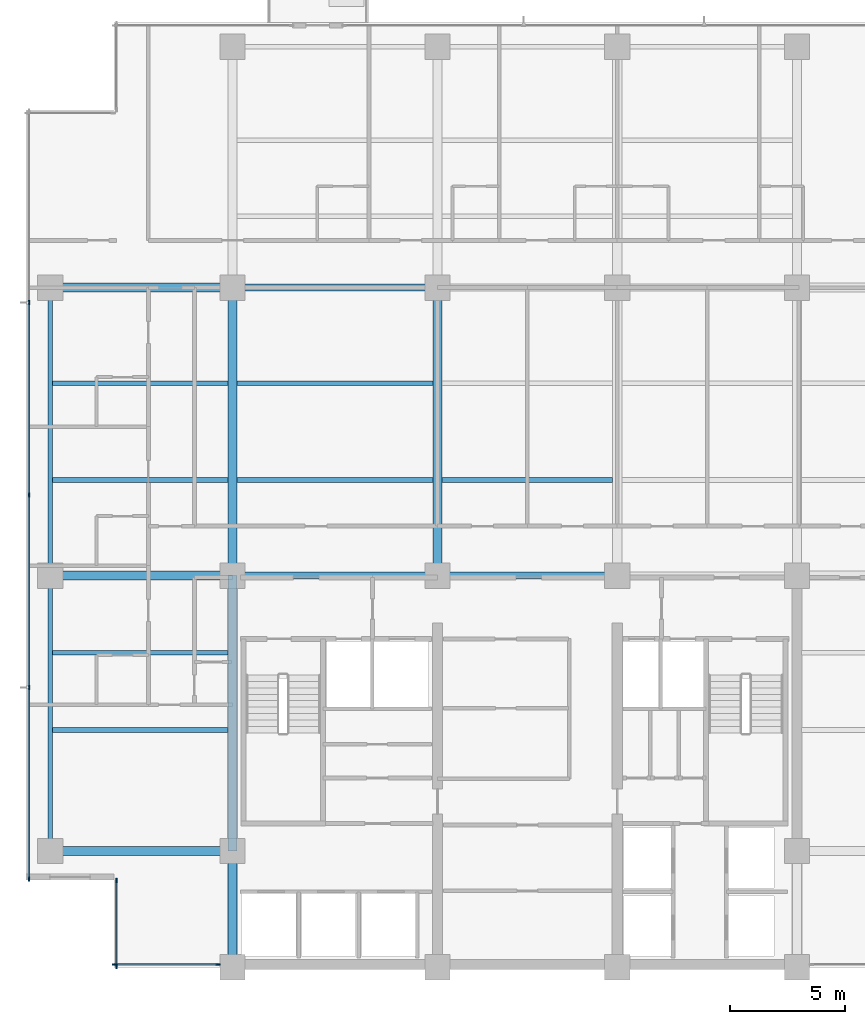
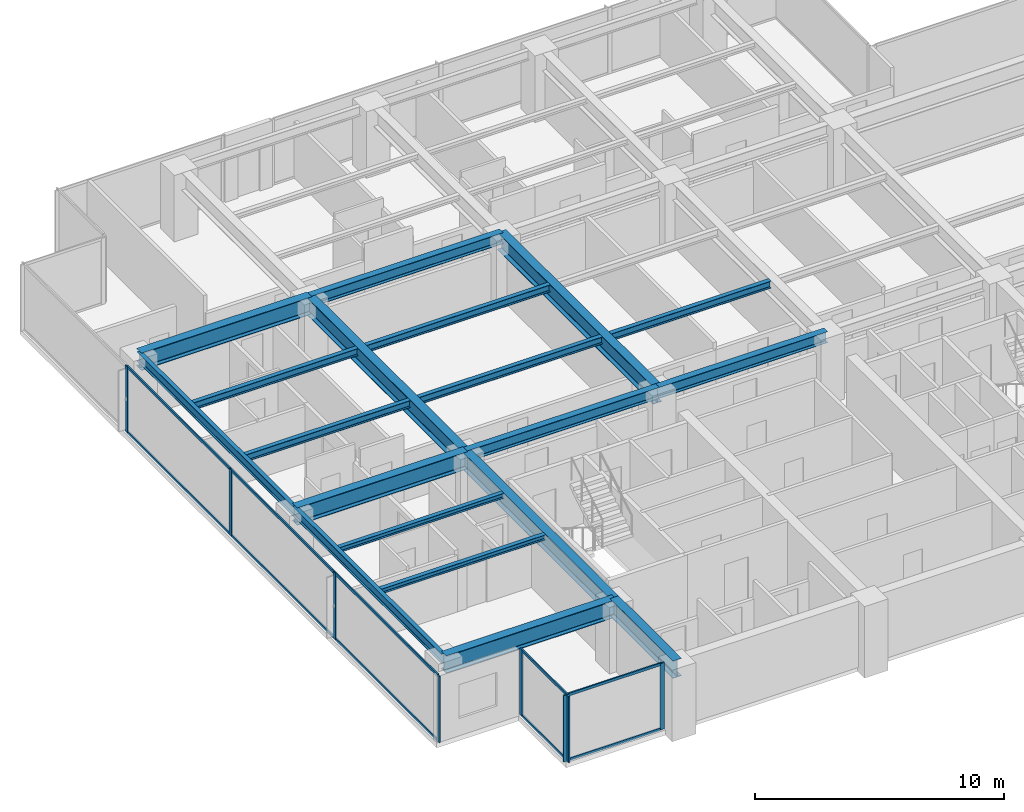
# One storey, part 2 of 14: 19 beams, 18 members, 3 elements without a shape of their own.
"""IFC4 building model written with IfcOpenShell, lengths in metres."""

from ifc_helpers import new_model, si_unit, direction, frame, origin, origin_2d, place, context, subcontext, project, spatial, rectangle, i_section, extrude, material, layer, layer_set, material_profile, profile_set, type_object, element, aggregate, save


model = new_model("IFC4")

# Units and contexts
model_context = context("Model", 3, precision=1e-05, world=origin(), true_north=direction((0.0, 1.0)))
body_context = subcontext(model_context, "Body", "Model", "MODEL_VIEW")
ifc_project = project(units=[si_unit("LENGTHUNIT", "METRE"), si_unit("AREAUNIT", "SQUARE_METRE"), si_unit("VOLUMEUNIT", "CUBIC_METRE"), si_unit("PLANEANGLEUNIT", "RADIAN"), si_unit("MASSUNIT", "GRAM", prefix="KILO")], contexts=[model_context])

# Site, building, storey
site_placement = place(None, origin())
site = spatial("IfcSite", under=ifc_project, at=site_placement, CompositionType="ELEMENT")
building_placement = place(site_placement, origin())
building = spatial("IfcBuilding", under=site, at=building_placement, Name="Qalmaran Belvedere Hotel", CompositionType="ELEMENT")
storey_placement = place(building_placement, frame((0.0, 0.0, 156.10009765625)))
storey = spatial("IfcBuildingStorey", under=building, at=storey_placement, Name="L39", CompositionType="ELEMENT", Elevation=156.10009765625)

# Beams
ifc_material_1 = material(Name="Steel S355JR", Category="steel")
ifc_material_profile_1 = material_profile(ifc_material_1, i_section(OverallWidth=0.201904296875, OverallDepth=0.2470703125, WebThickness=0.00732421875, FlangeThickness=0.010986328125, FilletRadius=0.011962890625, at=origin_2d()), Name="W250X49")
ifc_profile_set_1 = profile_set([ifc_material_profile_1], Name="Steel S355JR")
beam_type_1 = type_object("IfcBeamType", Name="BM-JST-W250X49", PredefinedType="JOIST", material=ifc_profile_set_1)
for number, where, z_axis, x_axis, name in (
    (1, (12.493896484375, 13.800048828125, 3.12646484375), (1.0, 0.0, 0.0), (0.0, 1.0, 0.0), "L39 West Wing Joist 038"),
    (2, (12.493896484375, 17.14990234375, 3.12646484375), (1.0, 0.0, 0.0), (0.0, 1.0, 0.0), "L39 West Wing Joist 040"),
):
    element("IfcBeam", number, at=place(storey_placement, frame(where, z_axis=z_axis, x_axis=x_axis)), inside=storey, type_object=beam_type_1, Name=name, PredefinedType="JOIST", context=body_context, shape_type="SweptSolid", body=[
        extrude(i_section(OverallWidth=0.201904296875, OverallDepth=0.2470703125, WebThickness=0.00732421875, FlangeThickness=0.010986328125, FilletRadius=0.011962890625, at=origin_2d()), origin(), (0.0, 0.0, 1.0), 7.608154296875),
    ])
ifc_material_profile_2 = material_profile(ifc_material_1, i_section(OverallWidth=0.39990234375, OverallDepth=0.85498046875, WebThickness=0.018310546875, FlangeThickness=0.029296875, FilletRadius=0.02392578125, at=origin_2d()), Name="W840X299")
ifc_profile_set_2 = profile_set([ifc_material_profile_2], Name="Steel S355JR")
beam_type_2 = type_object("IfcBeamType", Name="BM-PG3-W840X299", PredefinedType="USERDEFINED", material=ifc_profile_set_2)
for number, where, z_axis, x_axis, name in (
    (3, (20.300048828125, 20.5, 2.822509765625), (0.0, 1.0, 0.0), (-1.0, 0.0, 0.0), "L39 Mid-Plate N-S Girder 14"),
    (4, (29.199951171875, 20.5, 2.822509765625), (0.0, 1.0, 0.0), (-1.0, 0.0, 0.0), "L39 Mid-Plate N-S Girder 16"),
):
    element("IfcBeam", number, at=place(storey_placement, frame(where, z_axis=z_axis, x_axis=x_axis)), inside=storey, type_object=beam_type_2, Name=name, ObjectType="GIRDER", PredefinedType="USERDEFINED", context=body_context, shape_type="SweptSolid", body=[
        extrude(i_section(OverallWidth=0.39990234375, OverallDepth=0.85498046875, WebThickness=0.018310546875, FlangeThickness=0.029296875, FilletRadius=0.02392578125, at=origin_2d()), origin(), (0.0, 0.0, 1.0), 12.5),
    ])
for number, where, z_axis, x_axis, name in (
    (5, (12.39990234375, 8.550048828125, 2.822509765625), (1.0, 0.0, 0.0), (0.0, 1.0, 0.0), "L39 West Wing Girder 22"),
    (6, (12.39990234375, 20.5, 2.822509765625), (1.0, 0.0, 0.0), (0.0, 1.0, 0.0), "L39 West Wing Girder 23"),
    (7, (12.39990234375, 33.0, 2.822509765625), (1.0, 0.0, 0.0), (0.0, 1.0, 0.0), "L39 West Wing Girder 24"),
):
    element("IfcBeam", number, at=place(storey_placement, frame(where, z_axis=z_axis, x_axis=x_axis)), inside=storey, type_object=beam_type_2, Name=name, ObjectType="GIRDER", PredefinedType="USERDEFINED", context=body_context, shape_type="SweptSolid", body=[
        extrude(i_section(OverallWidth=0.39990234375, OverallDepth=0.85498046875, WebThickness=0.018310546875, FlangeThickness=0.029296875, FilletRadius=0.02392578125, at=origin_2d()), origin(), (0.0, 0.0, 1.0), 7.900146484375),
    ])
beam_1_placement = place(storey_placement, frame((20.300048828125, 3.5, 2.822509765625), z_axis=(0.0, 1.0, 0.0), x_axis=(-1.0, 0.0, 0.0)))
element("IfcBeam", 8, at=beam_1_placement, inside=storey, type_object=beam_type_2, Name="L39 West Core Edge Girder A", ObjectType="GIRDER", PredefinedType="USERDEFINED", context=body_context, shape_type="SweptSolid", body=[
    extrude(i_section(OverallWidth=0.39990234375, OverallDepth=0.85498046875, WebThickness=0.018310546875, FlangeThickness=0.029296875, FilletRadius=0.02392578125, at=origin_2d()), origin(), (0.0, 0.0, 1.0), 5.050048828125),
])
beam_2_placement = place(storey_placement, frame((20.300048828125, 8.550048828125, 2.822509765625), z_axis=(0.0, 1.0, 0.0), x_axis=(-1.0, 0.0, 0.0)))
element("IfcBeam", 9, at=beam_2_placement, inside=storey, type_object=beam_type_2, Name="L39 West Core Edge Girder B", ObjectType="GIRDER", PredefinedType="USERDEFINED", context=body_context, shape_type="SweptSolid", body=[
    extrude(i_section(OverallWidth=0.39990234375, OverallDepth=0.85498046875, WebThickness=0.018310546875, FlangeThickness=0.029296875, FilletRadius=0.02392578125, at=origin_2d()), origin(), (0.0, 0.0, 1.0), 11.949951171875),
])
ifc_material_profile_3 = material_profile(ifc_material_1, i_section(OverallWidth=0.205078125, OverallDepth=0.35400390625, WebThickness=0.009521484375, FlangeThickness=0.016845703125, FilletRadius=0.014892578125, at=origin_2d()), Name="W360X79")
ifc_profile_set_3 = profile_set([ifc_material_profile_3], Name="Steel S355JR")
beam_type_3 = type_object("IfcBeamType", Name="BM-SB3-W360X79", PredefinedType="BEAM", material=ifc_profile_set_3)
beam_3_placement = place(storey_placement, frame((12.493896484375, 24.64990234375, 3.072998046875), z_axis=(1.0, 0.0, 0.0), x_axis=(0.0, 1.0, 0.0)))
element("IfcBeam", 10, at=beam_3_placement, inside=storey, type_object=beam_type_3, Name="L39 West Secondary Beam 028", PredefinedType="BEAM", context=body_context, shape_type="SweptSolid", body=[
    extrude(i_section(OverallWidth=0.205078125, OverallDepth=0.35400390625, WebThickness=0.009521484375, FlangeThickness=0.016845703125, FilletRadius=0.014892578125, at=origin_2d()), origin(), (0.0, 0.0, 1.0), 7.608154296875),
])
beam_4_placement = place(storey_placement, frame((20.498046875, 24.64990234375, 3.072998046875), z_axis=(1.0, 0.0, 0.0), x_axis=(0.0, 1.0, 0.0)))
element("IfcBeam", 11, at=beam_4_placement, inside=storey, type_object=beam_type_3, Name="L39 Secondary Floor Beam 029", PredefinedType="BEAM", context=body_context, shape_type="SweptSolid", body=[
    extrude(i_section(OverallWidth=0.205078125, OverallDepth=0.35400390625, WebThickness=0.009521484375, FlangeThickness=0.016845703125, FilletRadius=0.014892578125, at=origin_2d()), origin(), (0.0, 0.0, 1.0), 8.50390625),
])
beam_5_placement = place(storey_placement, frame((29.39794921875, 24.64990234375, 3.072998046875), z_axis=(1.0, 0.0, 0.0), x_axis=(0.0, 1.0, 0.0)))
element("IfcBeam", 12, at=beam_5_placement, inside=storey, type_object=beam_type_3, Name="L39 Secondary Floor Beam 030", PredefinedType="BEAM", context=body_context, shape_type="SweptSolid", body=[
    extrude(i_section(OverallWidth=0.205078125, OverallDepth=0.35400390625, WebThickness=0.009521484375, FlangeThickness=0.016845703125, FilletRadius=0.014892578125, at=origin_2d()), origin(), (0.0, 0.0, 1.0), 7.404052734375),
])
beam_6_placement = place(storey_placement, frame((12.493896484375, 28.85009765625, 3.072998046875), z_axis=(1.0, 0.0, 0.0), x_axis=(0.0, 1.0, 0.0)))
element("IfcBeam", 13, at=beam_6_placement, inside=storey, type_object=beam_type_3, Name="L39 West Secondary Beam 033", PredefinedType="BEAM", context=body_context, shape_type="SweptSolid", body=[
    extrude(i_section(OverallWidth=0.205078125, OverallDepth=0.35400390625, WebThickness=0.009521484375, FlangeThickness=0.016845703125, FilletRadius=0.014892578125, at=origin_2d()), origin(), (0.0, 0.0, 1.0), 7.608154296875),
])
beam_7_placement = place(storey_placement, frame((20.498046875, 28.85009765625, 3.072998046875), z_axis=(1.0, 0.0, 0.0), x_axis=(0.0, 1.0, 0.0)))
element("IfcBeam", 14, at=beam_7_placement, inside=storey, type_object=beam_type_3, Name="L39 Secondary Floor Beam 034", PredefinedType="BEAM", context=body_context, shape_type="SweptSolid", body=[
    extrude(i_section(OverallWidth=0.205078125, OverallDepth=0.35400390625, WebThickness=0.009521484375, FlangeThickness=0.016845703125, FilletRadius=0.014892578125, at=origin_2d()), origin(), (0.0, 0.0, 1.0), 8.50390625),
])
ifc_material_profile_4 = material_profile(ifc_material_1, i_section(OverallWidth=0.19189453125, OverallDepth=0.462890625, WebThickness=0.010498046875, FlangeThickness=0.017578125, FilletRadius=0.01611328125, at=origin_2d()), Name="W460X89")
ifc_profile_set_4 = profile_set([ifc_material_profile_4], Name="Steel S355JR")
beam_type_4 = type_object("IfcBeamType", Name="BM-SP2-W460X89", PredefinedType="SPANDREL", material=ifc_profile_set_4)
beam_8_placement = place(storey_placement, frame((12.39990234375, 8.550048828125, 3.018310546875), z_axis=(0.0, 1.0, 0.0), x_axis=(-1.0, 0.0, 0.0)))
element("IfcBeam", 15, at=beam_8_placement, inside=storey, type_object=beam_type_4, Name="L39 Perimeter Spandrel 01", PredefinedType="SPANDREL", context=body_context, shape_type="SweptSolid", body=[
    extrude(i_section(OverallWidth=0.19189453125, OverallDepth=0.462890625, WebThickness=0.010498046875, FlangeThickness=0.017578125, FilletRadius=0.01611328125, at=origin_2d()), origin(), (0.0, 0.0, 1.0), 11.949951171875),
])
beam_9_placement = place(storey_placement, frame((12.39990234375, 20.5, 3.018310546875), z_axis=(0.0, 1.0, 0.0), x_axis=(-1.0, 0.0, 0.0)))
element("IfcBeam", 16, at=beam_9_placement, inside=storey, type_object=beam_type_4, Name="L39 Perimeter Spandrel 02", PredefinedType="SPANDREL", context=body_context, shape_type="SweptSolid", body=[
    extrude(i_section(OverallWidth=0.19189453125, OverallDepth=0.462890625, WebThickness=0.010498046875, FlangeThickness=0.017578125, FilletRadius=0.01611328125, at=origin_2d()), origin(), (0.0, 0.0, 1.0), 12.5),
])
ifc_material_profile_5 = material_profile(ifc_material_1, i_section(OverallWidth=0.31201171875, OverallDepth=0.54296875, WebThickness=0.0126953125, FlangeThickness=0.020263671875, FilletRadius=0.01806640625, at=origin_2d()), Name="W530X150")
ifc_profile_set_5 = profile_set([ifc_material_profile_5], Name="Steel S355JR")
beam_type_5 = type_object("IfcBeamType", Name="BM-Z3-W530X150", PredefinedType="USERDEFINED", material=ifc_profile_set_5)
beam_10_placement = place(storey_placement, frame((20.300048828125, 20.5, 2.978515625), z_axis=(1.0, 0.0, 0.0), x_axis=(0.0, 1.0, 0.0)))
element("IfcBeam", 17, at=beam_10_placement, inside=storey, type_object=beam_type_5, Name="L39 Interior E-W Girder 08", ObjectType="GIRDER", PredefinedType="USERDEFINED", context=body_context, shape_type="SweptSolid", body=[
    extrude(i_section(OverallWidth=0.31201171875, OverallDepth=0.54296875, WebThickness=0.0126953125, FlangeThickness=0.020263671875, FilletRadius=0.01806640625, at=origin_2d()), origin(), (0.0, 0.0, 1.0), 8.89990234375),
])
beam_11_placement = place(storey_placement, frame((29.199951171875, 20.5, 2.978515625), z_axis=(1.0, 0.0, 0.0), x_axis=(0.0, 1.0, 0.0)))
element("IfcBeam", 18, at=beam_11_placement, inside=storey, type_object=beam_type_5, Name="L39 Interior E-W Girder 09", ObjectType="GIRDER", PredefinedType="USERDEFINED", context=body_context, shape_type="SweptSolid", body=[
    extrude(i_section(OverallWidth=0.31201171875, OverallDepth=0.54296875, WebThickness=0.0126953125, FlangeThickness=0.020263671875, FilletRadius=0.01806640625, at=origin_2d()), origin(), (0.0, 0.0, 1.0), 7.800048828125),
])
beam_12_placement = place(storey_placement, frame((20.300048828125, 33.0, 2.978515625), z_axis=(1.0, 0.0, 0.0), x_axis=(0.0, 1.0, 0.0)))
element("IfcBeam", 19, at=beam_12_placement, inside=storey, type_object=beam_type_5, Name="L39 Interior E-W Girder 11", ObjectType="GIRDER", PredefinedType="USERDEFINED", context=body_context, shape_type="SweptSolid", body=[
    extrude(i_section(OverallWidth=0.31201171875, OverallDepth=0.54296875, WebThickness=0.0126953125, FlangeThickness=0.020263671875, FilletRadius=0.01806640625, at=origin_2d()), origin(), (0.0, 0.0, 1.0), 8.89990234375),
])

# Curtain wall, members
ifc_material_2 = material(Name="Anodised Bronze Aluminium", Category="aluminium")
ifc_layer = layer(ifc_material_2, 0.195068359375, Name="Anodised Bronze Aluminium")
ifc_layer_set = layer_set([ifc_layer], Name="Anodised Bronze Aluminium")
curtain_wall_type = type_object("IfcCurtainWallType", Name="CW4-TOWER-HIGHMID", PredefinedType="NOTDEFINED", material=ifc_layer_set)
curtain_wall_1_placement = place(storey_placement, origin())
curtain_wall_1 = element("IfcCurtainWall", 20, at=curtain_wall_1_placement, inside=storey, type_object=curtain_wall_type, Name="L39 Curtain Wall CW4", PredefinedType="NOTDEFINED")
ifc_material_profile_6 = material_profile(ifc_material_2, rectangle(XDim=0.070068359375, YDim=0.18994140625, at=origin_2d()), Name="CWM70X190")
ifc_profile_set_6 = profile_set([ifc_material_profile_6], Name="Anodised Bronze Aluminium")
member_type_1 = type_object("IfcMemberType", Name="CWM-70X190", PredefinedType="MULLION", material=ifc_profile_set_6)
member_1_placement = place(storey_placement, frame((15.18505859375, 3.6201171875, 0.0), z_axis=(0.0, 0.0, 1.0), x_axis=(0.0, 1.0, 0.0)))
member_1 = element("IfcMember", 21, at=member_1_placement, type_object=member_type_1, Name="CW4 mullion 1", PredefinedType="MULLION", context=body_context, shape_type="SweptSolid", body=[
    extrude(rectangle(XDim=0.070068359375, YDim=0.18994140625, at=origin_2d()), origin(), (0.0, 0.0, 1.0), 3.25),
])
member_2_placement = place(storey_placement, frame((19.675048828125, 3.6201171875, 0.0), z_axis=(0.0, 0.0, 1.0), x_axis=(0.0, 1.0, 0.0)))
member_2 = element("IfcMember", 22, at=member_2_placement, type_object=member_type_1, Name="CW4 mullion 2", PredefinedType="MULLION", context=body_context, shape_type="SweptSolid", body=[
    extrude(rectangle(XDim=0.070068359375, YDim=0.18994140625, at=origin_2d()), origin(), (0.0, 0.0, 1.0), 3.25),
])

curtain_wall_2_placement = place(storey_placement, origin())
curtain_wall_2 = element("IfcCurtainWall", 23, at=curtain_wall_2_placement, inside=storey, type_object=curtain_wall_type, Name="L39 Curtain Wall CW4", PredefinedType="NOTDEFINED")
member_3_placement = place(storey_placement, frame((11.469970703125, 32.35009765625, 0.0), z_axis=(0.0, 0.0, 1.0), x_axis=(1.0, 0.0, 0.0)))
member_3 = element("IfcMember", 24, at=member_3_placement, type_object=member_type_1, Name="CW4 mullion 2", PredefinedType="MULLION", context=body_context, shape_type="SweptSolid", body=[
    extrude(rectangle(XDim=0.070068359375, YDim=0.18994140625, at=origin_2d()), origin(), (0.0, 0.0, 1.0), 3.25),
])
member_4_placement = place(storey_placement, frame((11.469970703125, 24.0, 0.0), z_axis=(0.0, 0.0, 1.0), x_axis=(1.0, 0.0, 0.0)))
member_4 = element("IfcMember", 25, at=member_4_placement, type_object=member_type_1, Name="CW4 mullion 3", PredefinedType="MULLION", context=body_context, shape_type="SweptSolid", body=[
    extrude(rectangle(XDim=0.070068359375, YDim=0.18994140625, at=origin_2d()), origin(), (0.0, 0.0, 1.0), 3.25),
])
member_5_placement = place(storey_placement, frame((11.469970703125, 15.64990234375, 0.0), z_axis=(0.0, 0.0, 1.0), x_axis=(1.0, 0.0, 0.0)))
member_5 = element("IfcMember", 26, at=member_5_placement, type_object=member_type_1, Name="CW4 mullion 4", PredefinedType="MULLION", context=body_context, shape_type="SweptSolid", body=[
    extrude(rectangle(XDim=0.070068359375, YDim=0.18994140625, at=origin_2d()), origin(), (0.0, 0.0, 1.0), 3.25),
])
member_6_placement = place(storey_placement, frame((11.469970703125, 7.3349609375, 0.0), z_axis=(0.0, 0.0, 1.0), x_axis=(1.0, 0.0, 0.0)))
member_6 = element("IfcMember", 27, at=member_6_placement, type_object=member_type_1, Name="CW4 mullion 5", PredefinedType="MULLION", context=body_context, shape_type="SweptSolid", body=[
    extrude(rectangle(XDim=0.070068359375, YDim=0.18994140625, at=origin_2d()), origin(), (0.0, 0.0, 1.0), 3.25),
])

curtain_wall_3_placement = place(storey_placement, origin())
curtain_wall_3 = element("IfcCurtainWall", 28, at=curtain_wall_3_placement, inside=storey, type_object=curtain_wall_type, Name="L39 Curtain Wall CW4", PredefinedType="NOTDEFINED")
member_7_placement = place(storey_placement, frame((15.27001953125, 7.264892578125, 0.0), z_axis=(0.0, 0.0, 1.0), x_axis=(1.0, 0.0, 0.0)))
member_7 = element("IfcMember", 29, at=member_7_placement, type_object=member_type_1, Name="CW4 mullion 1", PredefinedType="MULLION", context=body_context, shape_type="SweptSolid", body=[
    extrude(rectangle(XDim=0.070068359375, YDim=0.18994140625, at=origin_2d()), origin(), (0.0, 0.0, 1.0), 3.25),
])
member_8_placement = place(storey_placement, frame((15.27001953125, 3.534912109375, 0.0), z_axis=(0.0, 0.0, 1.0), x_axis=(1.0, 0.0, 0.0)))
member_8 = element("IfcMember", 30, at=member_8_placement, type_object=member_type_1, Name="CW4 mullion 2", PredefinedType="MULLION", context=body_context, shape_type="SweptSolid", body=[
    extrude(rectangle(XDim=0.070068359375, YDim=0.18994140625, at=origin_2d()), origin(), (0.0, 0.0, 1.0), 3.25),
])

# Member
ifc_material_profile_7 = material_profile(ifc_material_2, rectangle(XDim=0.06494140625, YDim=0.1298828125, at=origin_2d()), Name="CWT65X130")
ifc_profile_set_7 = profile_set([ifc_material_profile_7], Name="Anodised Bronze Aluminium")
member_type_2 = type_object("IfcMemberType", Name="CWT-65X130", PredefinedType="USERDEFINED", material=ifc_profile_set_7)
member_9_placement = place(storey_placement, frame((15.219970703125, 3.6201171875, 0.032470703125), z_axis=(1.0, 0.0, 0.0), x_axis=(0.0, 1.0, 0.0)))
member_9 = element("IfcMember", 31, at=member_9_placement, type_object=member_type_2, Name="CW4 transom 1.1", ObjectType="TRANSOM", PredefinedType="USERDEFINED", context=body_context, shape_type="SweptSolid", body=[
    extrude(rectangle(XDim=0.06494140625, YDim=0.1298828125, at=origin_2d()), origin(), (0.0, 0.0, 1.0), 4.419921875),
])

member_10_placement = place(storey_placement, frame((15.219970703125, 3.6201171875, 3.21728515625), z_axis=(1.0, 0.0, 0.0), x_axis=(0.0, 1.0, 0.0)))
member_10 = element("IfcMember", 32, at=member_10_placement, type_object=member_type_2, Name="CW4 transom 1.2", ObjectType="TRANSOM", PredefinedType="USERDEFINED", context=body_context, shape_type="SweptSolid", body=[
    extrude(rectangle(XDim=0.06494140625, YDim=0.1298828125, at=origin_2d()), origin(), (0.0, 0.0, 1.0), 4.419921875),
])

aggregate(curtain_wall_1, [member_1, member_2, member_9, member_10])

member_11_placement = place(storey_placement, frame((11.469970703125, 32.31494140625, 0.032470703125), z_axis=(0.0, -1.0, 0.0), x_axis=(1.0, 0.0, 0.0)))
member_11 = element("IfcMember", 33, at=member_11_placement, type_object=member_type_2, Name="CW4 transom 2.1", ObjectType="TRANSOM", PredefinedType="USERDEFINED", context=body_context, shape_type="SweptSolid", body=[
    extrude(rectangle(XDim=0.06494140625, YDim=0.1298828125, at=origin_2d()), origin(), (0.0, 0.0, 1.0), 8.280029296875),
])

member_12_placement = place(storey_placement, frame((11.469970703125, 32.31494140625, 3.21728515625), z_axis=(0.0, -1.0, 0.0), x_axis=(1.0, 0.0, 0.0)))
member_12 = element("IfcMember", 34, at=member_12_placement, type_object=member_type_2, Name="CW4 transom 2.2", ObjectType="TRANSOM", PredefinedType="USERDEFINED", context=body_context, shape_type="SweptSolid", body=[
    extrude(rectangle(XDim=0.06494140625, YDim=0.1298828125, at=origin_2d()), origin(), (0.0, 0.0, 1.0), 8.280029296875),
])

member_13_placement = place(storey_placement, frame((11.469970703125, 23.965087890625, 0.032470703125), z_axis=(0.0, -1.0, 0.0), x_axis=(1.0, 0.0, 0.0)))
member_13 = element("IfcMember", 35, at=member_13_placement, type_object=member_type_2, Name="CW4 transom 3.1", ObjectType="TRANSOM", PredefinedType="USERDEFINED", context=body_context, shape_type="SweptSolid", body=[
    extrude(rectangle(XDim=0.06494140625, YDim=0.1298828125, at=origin_2d()), origin(), (0.0, 0.0, 1.0), 8.280029296875),
])

member_14_placement = place(storey_placement, frame((11.469970703125, 23.965087890625, 3.21728515625), z_axis=(0.0, -1.0, 0.0), x_axis=(1.0, 0.0, 0.0)))
member_14 = element("IfcMember", 36, at=member_14_placement, type_object=member_type_2, Name="CW4 transom 3.2", ObjectType="TRANSOM", PredefinedType="USERDEFINED", context=body_context, shape_type="SweptSolid", body=[
    extrude(rectangle(XDim=0.06494140625, YDim=0.1298828125, at=origin_2d()), origin(), (0.0, 0.0, 1.0), 8.280029296875),
])

member_15_placement = place(storey_placement, frame((11.469970703125, 15.614990234375, 0.032470703125), z_axis=(0.0, -1.0, 0.0), x_axis=(1.0, 0.0, 0.0)))
member_15 = element("IfcMember", 37, at=member_15_placement, type_object=member_type_2, Name="CW4 transom 4.1", ObjectType="TRANSOM", PredefinedType="USERDEFINED", context=body_context, shape_type="SweptSolid", body=[
    extrude(rectangle(XDim=0.06494140625, YDim=0.1298828125, at=origin_2d()), origin(), (0.0, 0.0, 1.0), 8.244873046875),
])

member_16_placement = place(storey_placement, frame((11.469970703125, 15.614990234375, 3.21728515625), z_axis=(0.0, -1.0, 0.0), x_axis=(1.0, 0.0, 0.0)))
member_16 = element("IfcMember", 38, at=member_16_placement, type_object=member_type_2, Name="CW4 transom 4.2", ObjectType="TRANSOM", PredefinedType="USERDEFINED", context=body_context, shape_type="SweptSolid", body=[
    extrude(rectangle(XDim=0.06494140625, YDim=0.1298828125, at=origin_2d()), origin(), (0.0, 0.0, 1.0), 8.244873046875),
])

aggregate(curtain_wall_2, [member_3, member_4, member_5, member_6, member_11, member_12, member_13, member_14, member_15, member_16])

member_17_placement = place(storey_placement, frame((15.27001953125, 7.22998046875, 0.032470703125), z_axis=(0.0, -1.0, 0.0), x_axis=(1.0, 0.0, 0.0)))
member_17 = element("IfcMember", 39, at=member_17_placement, type_object=member_type_2, Name="CW4 transom 1.1", ObjectType="TRANSOM", PredefinedType="USERDEFINED", context=body_context, shape_type="SweptSolid", body=[
    extrude(rectangle(XDim=0.06494140625, YDim=0.1298828125, at=origin_2d()), origin(), (0.0, 0.0, 1.0), 3.659912109375),
])

member_18_placement = place(storey_placement, frame((15.27001953125, 7.22998046875, 3.21728515625), z_axis=(0.0, -1.0, 0.0), x_axis=(1.0, 0.0, 0.0)))
member_18 = element("IfcMember", 40, at=member_18_placement, type_object=member_type_2, Name="CW4 transom 1.2", ObjectType="TRANSOM", PredefinedType="USERDEFINED", context=body_context, shape_type="SweptSolid", body=[
    extrude(rectangle(XDim=0.06494140625, YDim=0.1298828125, at=origin_2d()), origin(), (0.0, 0.0, 1.0), 3.659912109375),
])

aggregate(curtain_wall_3, [member_7, member_8, member_17, member_18])

save(model, "model.ifc")
